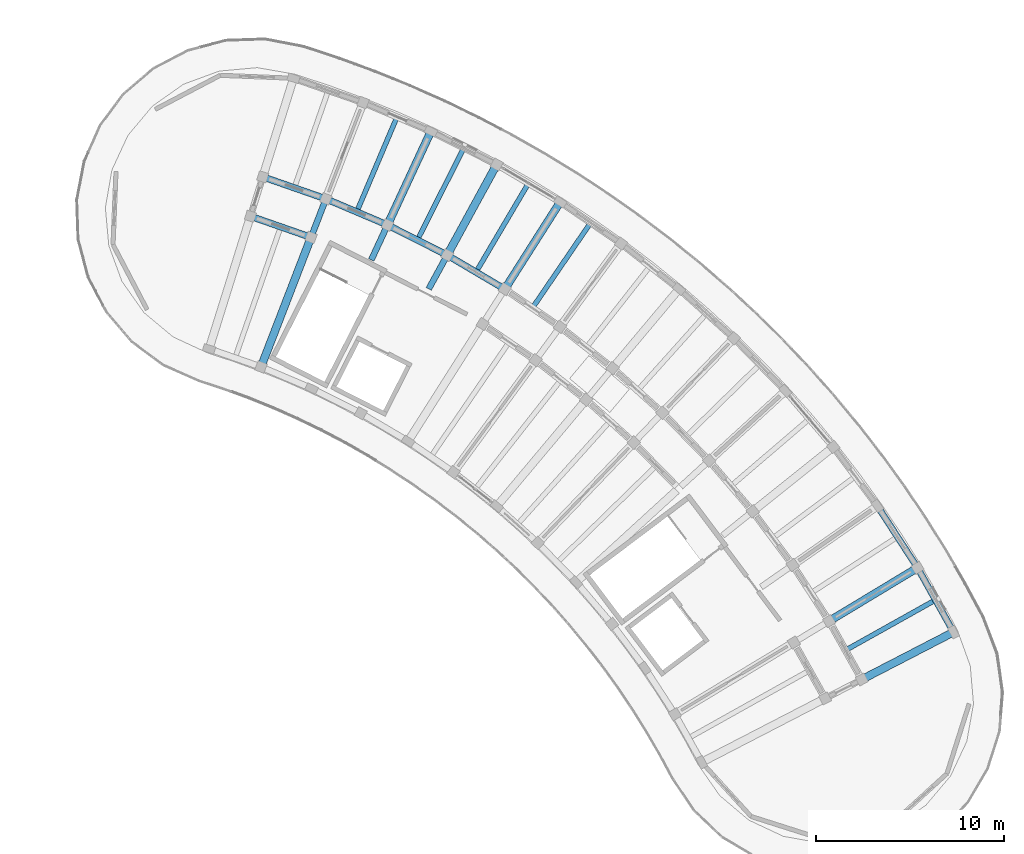
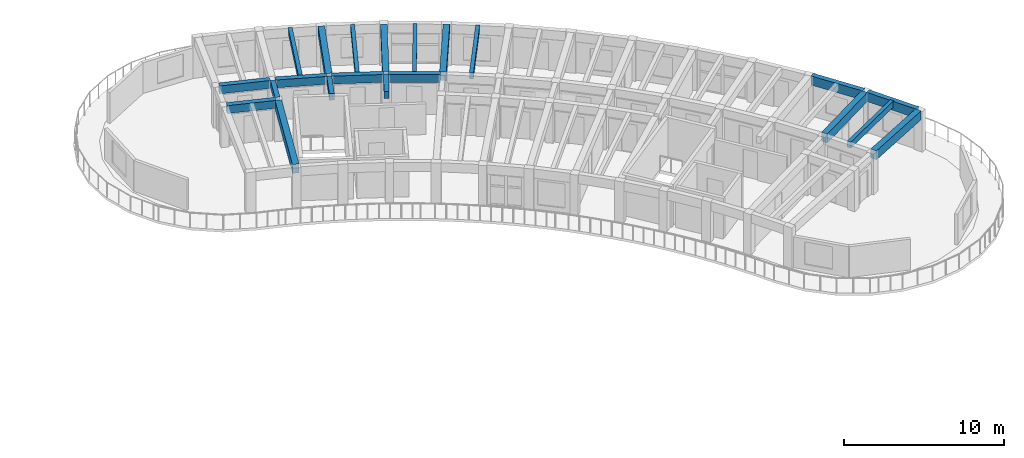
# One storey, part 12 of 32: 21 beams.
"""IFC4 building model written with IfcOpenShell, lengths in metres."""

import ifcopenshell
import ifcopenshell.guid

model = None  # the IFC model being written
_history = None  # IfcOwnerHistory: only IFC2X3 demands one
_inside = {}  # id of a spatial element -> (the spatial element, [elements in it])
_under = {}  # id of a project, library or spatial element -> (it, [spatial elements below it])
_declared = {}  # id of a project -> (the project, [libraries it declares])
_typed = {}  # id of a type object -> (the type object, [elements of that type])
_made_of = {}  # id of a material, layer set ... -> (it, [elements and type objects made of it])


def new_model(schema):
    """Start an empty IFC model of exactly this schema.

    Asked for "IFC4X3", IfcOpenShell would pick the latest addendum, in which some entities
    have other attributes; the version numbers below select the first issue.
    IFC2X3 requires an IfcOwnerHistory on every rooted entity: one is made here for all.
    """
    global model, _history
    if schema == "IFC4X3":
        model = ifcopenshell.file(schema_version=(4, 3, 0, 0))
    else:
        model = ifcopenshell.file(schema=schema)
    _inside.clear()
    _under.clear()
    _declared.clear()
    _typed.clear()
    _made_of.clear()
    _history = None
    if model.schema == "IFC2X3":
        org = make("IfcOrganization", Name="unknown")
        user = make(
            "IfcPersonAndOrganization",
            ThePerson=make("IfcPerson", FamilyName="unknown"),
            TheOrganization=org,
        )
        app = make(
            "IfcApplication",
            ApplicationDeveloper=org,
            Version="unknown",
            ApplicationFullName="unknown",
            ApplicationIdentifier="unknown",
        )
        _history = make(
            "IfcOwnerHistory",
            OwningUser=user,
            OwningApplication=app,
            ChangeAction="ADDED",
            CreationDate=0,
        )
    return model


def make(cls, **values):
    """One entity of the class cls with the attributes given. An attribute that is None is left unset."""
    return model.create_entity(
        cls, **{name: value for name, value in values.items() if value is not None}
    )


def rooted(cls, **values):
    """An entity with a GlobalId (a new one), such as an element, a storey or a relation."""
    return make(cls, GlobalId=ifcopenshell.guid.new(), OwnerHistory=_history, **values)


def si_unit(unit_type, name, prefix=None):
    """IfcSIUnit, for example si_unit("LENGTHUNIT", "METRE", prefix="MILLI")."""
    return make("IfcSIUnit", UnitType=unit_type, Prefix=prefix, Name=name)


def assignment(units):
    """IfcUnitAssignment: the units of a project."""
    return None if units is None else make("IfcUnitAssignment", Units=units)


def point(xyz):
    """IfcCartesianPoint."""
    return None if xyz is None else make("IfcCartesianPoint", Coordinates=xyz)


def direction(xyz):
    """IfcDirection."""
    return None if xyz is None else make("IfcDirection", DirectionRatios=xyz)


def frame(location, z_axis=None, x_axis=None):
    """IfcAxis2Placement3D, a coordinate frame: its origin and axes. An axis left out is left unset."""
    return make(
        "IfcAxis2Placement3D",
        Location=point(location),
        Axis=direction(z_axis),
        RefDirection=direction(x_axis),
    )


def frame_2d(location, x_axis=None):
    """IfcAxis2Placement2D, a coordinate frame in the plane: its origin and x axis."""
    return make(
        "IfcAxis2Placement2D", Location=point(location), RefDirection=direction(x_axis)
    )


def origin():
    """The frame at (0, 0, 0) with its axes left unset."""
    return frame((0.0, 0.0, 0.0))


def origin_2d():
    """The frame at (0, 0) in the plane with its x axis left unset."""
    return frame_2d((0.0, 0.0))


def place(relative_to, where):
    """IfcLocalPlacement: puts the frame where relative to a parent placement (None: the world)."""
    return make(
        "IfcLocalPlacement", PlacementRelTo=relative_to, RelativePlacement=where
    )


def context(
    kind, dimensions, precision=None, world=None, true_north=None, identifier=None
):
    """IfcGeometricRepresentationContext, for example the 3D "Model" context."""
    return make(
        "IfcGeometricRepresentationContext",
        ContextIdentifier=identifier,
        ContextType=kind,
        CoordinateSpaceDimension=dimensions,
        Precision=precision,
        WorldCoordinateSystem=world,
        TrueNorth=true_north,
    )


def subcontext(parent, identifier, kind, view, scale=None):
    """IfcGeometricRepresentationSubContext, for example "Body" below "Model"."""
    return make(
        "IfcGeometricRepresentationSubContext",
        ContextIdentifier=identifier,
        ContextType=kind,
        ParentContext=parent,
        TargetScale=scale,
        TargetView=view,
    )


def project(units=None, contexts=None):
    """IfcProject with its units and contexts."""
    return rooted(
        "IfcProject",
        Name="project",
        RepresentationContexts=contexts,
        UnitsInContext=assignment(units),
    )


def spatial(cls, under=None, at=None, **own):
    """A site, building, storey or space (cls), placed at a placement, below another one or the project."""
    s = rooted(cls, ObjectPlacement=at, **own)
    if under is not None:
        _under.setdefault(under.id(), (under, []))[1].append(s)
    return s


def profile(cls, at=None, kind="AREA", **sizes):
    """A parametric profile (cls). Its sizes go by their IFC names, for example OverallWidth=200.0."""
    return make(cls, ProfileType=kind, Position=at, **sizes)


def rectangle(**sizes):
    """IfcRectangleProfileDef."""
    return profile("IfcRectangleProfileDef", **sizes)


def extrude(swept, where, along, depth):
    """IfcExtrudedAreaSolid: the profile swept, set in the frame where, extruded along a direction by depth."""
    return make(
        "IfcExtrudedAreaSolid",
        SweptArea=swept,
        Position=where,
        ExtrudedDirection=direction(along),
        Depth=depth,
    )


def shape(context_of_items, identifier, shape_type, items):
    """IfcShapeRepresentation: the items that make up one representation, for example the "Body"."""
    return make(
        "IfcShapeRepresentation",
        ContextOfItems=context_of_items,
        RepresentationIdentifier=identifier,
        RepresentationType=shape_type,
        Items=items,
    )


def material(Name=None, Category=None):
    """IfcMaterial."""
    return make("IfcMaterial", Name=Name, Category=Category)


def material_profile(
    of_material, cross_section, Name=None, Category=None, Priority=None
):
    """IfcMaterialProfile: a cross section and its material."""
    return make(
        "IfcMaterialProfile",
        Name=Name,
        Material=of_material,
        Profile=cross_section,
        Priority=Priority,
        Category=Category,
    )


def profile_set(profiles, Name=None, composite=None):
    """IfcMaterialProfileSet."""
    return make(
        "IfcMaterialProfileSet",
        Name=Name,
        MaterialProfiles=profiles,
        CompositeProfile=composite,
    )


def made_of(thing, what):
    """Note that an element or type object is made of a material, layer set ...; save() writes the relation."""
    if what is not None:
        _made_of.setdefault(what.id(), (what, []))[1].append(thing)
    return thing


def type_object(cls, material=None, **own):
    """A type object (cls), such as IfcWallType, which elements share."""
    return made_of(rooted(cls, **own), material)


def element(
    cls,
    number,
    at=None,
    inside=None,
    cuts=None,
    type_object=None,
    material=None,
    context=None,
    identifier="Body",
    shape_type=None,
    held_by="IfcProductDefinitionShape",
    body=None,
    shapes=None,
    **own,
):
    """One element of the class cls, such as IfcWall. Its Tag is "e" and its number.

    at: its placement. inside: the storey or other place that contains it. cuts: it is an
    opening in that element (IfcRelVoidsElement). A single representation is given by context,
    identifier, shape_type and body (its items); several are given by shapes. held_by: the class
    of the entity that holds the representations. save() writes the other relations.
    """
    e = rooted(cls, Tag="e%d" % number, ObjectPlacement=at, **own)
    if body is not None:
        shapes = [shape(context, identifier, shape_type, body)]
    if shapes is not None:
        e.Representation = make(held_by, Representations=shapes)
    if inside is not None:
        _inside.setdefault(inside.id(), (inside, []))[1].append(e)
    if cuts is not None:
        rooted(
            "IfcRelVoidsElement", RelatingBuildingElement=cuts, RelatedOpeningElement=e
        )
    if type_object is not None:
        _typed.setdefault(type_object.id(), (type_object, []))[1].append(e)
    return made_of(e, material)


def aggregate(whole, parts):
    """IfcRelAggregates: a whole, such as a stair, and the parts it consists of."""
    return rooted("IfcRelAggregates", RelatingObject=whole, RelatedObjects=parts)


def save(model, path):
    """Write the relations noted so far, then the file.

    IfcRelAggregates (storeys below a building ...), IfcRelContainedInSpatialStructure (elements
    in a storey), IfcRelDefinesByType, IfcRelAssociatesMaterial and IfcRelDeclares: one each for
    every whole, place, type object, material and project.
    """
    for whole, parts in _under.values():
        aggregate(whole, parts)
    for where, things in _inside.values():
        rooted(
            "IfcRelContainedInSpatialStructure",
            RelatedElements=things,
            RelatingStructure=where,
        )
    for kind, things in _typed.values():
        rooted("IfcRelDefinesByType", RelatedObjects=things, RelatingType=kind)
    for what, things in _made_of.values():
        rooted("IfcRelAssociatesMaterial", RelatedObjects=things, RelatingMaterial=what)
    for by, libraries in _declared.values():
        rooted("IfcRelDeclares", RelatingContext=by, RelatedDefinitions=libraries)
    model.write(path)


model = new_model("IFC4")

# Units and contexts
model_context = context("Model", 3, precision=1e-05, world=origin(), true_north=direction((0.0, 1.0)))
body_context = subcontext(model_context, "Body", "Model", "MODEL_VIEW")
ifc_project = project(units=[si_unit("LENGTHUNIT", "METRE"), si_unit("AREAUNIT", "SQUARE_METRE"), si_unit("VOLUMEUNIT", "CUBIC_METRE"), si_unit("PLANEANGLEUNIT", "RADIAN"), si_unit("MASSUNIT", "GRAM", prefix="KILO")], contexts=[model_context])

# Site, building, storey
site_placement = place(None, origin())
site = spatial("IfcSite", under=ifc_project, at=site_placement, CompositionType="ELEMENT")
building_placement = place(site_placement, origin())
building = spatial("IfcBuilding", under=site, at=building_placement, Name="Tanwirah Colonnade Gardens", CompositionType="ELEMENT")
storey_placement = place(building_placement, frame((0.0, 0.0, 42.43994140625)))
storey = spatial("IfcBuildingStorey", under=building, at=storey_placement, Name="L12", CompositionType="ELEMENT", Elevation=42.43994140625)

# Beams
ifc_material_1 = material(Name="Precast concrete C40/50", Category="concrete")
ifc_material_profile_1 = material_profile(ifc_material_1, rectangle(XDim=0.320068359375, YDim=0.52001953125, at=origin_2d()), Name="PC-BM 320x520")
ifc_profile_set_1 = profile_set([ifc_material_profile_1], Name="Precast concrete C40/50")
beam_type_1 = type_object("IfcBeamType", Name="BM-PC320", PredefinedType="BEAM", material=ifc_profile_set_1)
for number, where, z_axis, x_axis, name in (
    (1, (145.945068359375, 105.826171875, 2.840087890625), (0.479707235792, 0.877428611301, 0.0), (-0.877428611301, 0.479707235792, 0.0), "Block B L12 Corridor Tie Beam 12"),
    (2, (142.884765625, 107.37060546875, 2.840087890625), (0.420858322681, 0.90712638162, 0.0), (-0.90712638162, 0.420858322681, 0.0), "Block B L12 Corridor Tie Beam 13"),
    (3, (139.729248046875, 108.7099609375, 2.840087890625), (0.360175656082, 0.932884503444, 0.0), (-0.932884503444, 0.360175656082, 0.0), "Block B L12 Corridor Tie Beam 14"),
):
    element("IfcBeam", number, at=place(storey_placement, frame(where, z_axis=z_axis, x_axis=x_axis)), inside=storey, type_object=beam_type_1, Name=name, PredefinedType="BEAM", context=body_context, shape_type="SweptSolid", body=[
        extrude(rectangle(XDim=0.320068359375, YDim=0.52001953125, at=origin_2d()), origin(), (0.0, 0.0, 1.0), 1.89990234375),
    ])
ifc_material_profile_2 = material_profile(ifc_material_1, rectangle(XDim=0.35009765625, YDim=0.60009765625, at=origin_2d()), Name="PC-BM 350x600")
ifc_profile_set_2 = profile_set([ifc_material_profile_2], Name="Precast concrete C40/50")
beam_type_2 = type_object("IfcBeamType", Name="BM-PC350B", PredefinedType="BEAM", material=ifc_profile_set_2)
for number, where, z_axis, x_axis, name in (
    (4, (149.86767578125, 105.8896484375, 2.800048828125), (-0.861134978964, 0.508376384193, 0.0), (-0.508376384193, -0.861134978964, 0.0), "Block B L12 Circumferential Beam 11-R2"),
    (5, (146.794677734375, 107.6923828125, 2.800048828125), (-0.89276014323, 0.450532270387, 0.0), (-0.450532270387, -0.89276014323, 0.0), "Block B L12 Circumferential Beam 12-R2"),
):
    element("IfcBeam", number, at=place(storey_placement, frame(where, z_axis=z_axis, x_axis=x_axis)), inside=storey, type_object=beam_type_2, Name=name, PredefinedType="BEAM", context=body_context, shape_type="SweptSolid", body=[
        extrude(rectangle(XDim=0.35009765625, YDim=0.60009765625, at=origin_2d()), origin(), (0.0, 0.0, 1.0), 3.26318359375),
    ])
beam_1_placement = place(storey_placement, frame((143.609375, 109.288818359375, 2.800048828125), z_axis=(-0.920513294115, 0.390711242938, 0.0), x_axis=(-0.390711242938, -0.920513294115, 0.0)))
element("IfcBeam", 6, at=beam_1_placement, inside=storey, type_object=beam_type_2, Name="Block B L12 Circumferential Beam 13-R2", PredefinedType="BEAM", context=body_context, shape_type="SweptSolid", body=[
    extrude(rectangle(XDim=0.35009765625, YDim=0.60009765625, at=origin_2d()), origin(), (0.0, 0.0, 1.0), 3.262939453125),
])
beam_2_placement = place(storey_placement, frame((139.53369140625, 108.619384765625, 2.800048828125), z_axis=(-0.944248304077, 0.329234172358, 0.0), x_axis=(-0.329234172358, -0.944248304077, 0.0)))
element("IfcBeam", 7, at=beam_2_placement, inside=storey, type_object=beam_type_2, Name="Block B L12 Circumferential Beam 14-R1", PredefinedType="BEAM", context=body_context, shape_type="SweptSolid", body=[
    extrude(rectangle(XDim=0.35009765625, YDim=0.60009765625, at=origin_2d()), origin(), (0.0, 0.0, 1.0), 3.1181640625),
])
beam_3_placement = place(storey_placement, frame((140.325927734375, 110.671630859375, 2.800048828125), z_axis=(-0.944231021702, 0.329283734272, 0.0), x_axis=(-0.329283734272, -0.944231021702, 0.0)))
element("IfcBeam", 8, at=beam_3_placement, inside=storey, type_object=beam_type_2, Name="Block B L12 Circumferential Beam 14-R2", PredefinedType="BEAM", context=body_context, shape_type="SweptSolid", body=[
    extrude(rectangle(XDim=0.35009765625, YDim=0.60009765625, at=origin_2d()), origin(), (0.0, 0.0, 1.0), 3.262939453125),
])
ifc_material_2 = material(Name="Precast concrete C45/55", Category="concrete")
ifc_material_profile_3 = material_profile(ifc_material_2, rectangle(XDim=0.419921875, YDim=0.679931640625, at=origin_2d()), Name="PC-BM 420x680")
ifc_profile_set_3 = profile_set([ifc_material_profile_3], Name="Precast concrete C45/55")
beam_type_3 = type_object("IfcBeamType", Name="BM-PC420", PredefinedType="BEAM", material=ifc_profile_set_3)
beam_4_placement = place(storey_placement, frame((169.148681640625, 85.0869140625, 2.760009765625), z_axis=(0.888346435251, 0.459173835249, 0.0), x_axis=(-0.459173835249, 0.888346435251, 0.0)))
element("IfcBeam", 9, at=beam_4_placement, inside=storey, type_object=beam_type_3, Name="Block B L12 Outer Radial Precast Girder 3", PredefinedType="BEAM", context=body_context, shape_type="SweptSolid", body=[
    extrude(rectangle(XDim=0.419921875, YDim=0.679931640625, at=origin_2d()), origin(), (0.0, 0.0, 1.0), 5.199951171875),
])
beam_5_placement = place(storey_placement, frame((167.404296875, 88.205078125, 2.760009765625), z_axis=(0.856164383855, 0.516703539584, 0.0), x_axis=(-0.516703539584, 0.856164383855, 0.0)))
element("IfcBeam", 10, at=beam_5_placement, inside=storey, type_object=beam_type_3, Name="Block B L12 Outer Radial Precast Girder 4", PredefinedType="BEAM", context=body_context, shape_type="SweptSolid", body=[
    extrude(rectangle(XDim=0.419921875, YDim=0.679931640625, at=origin_2d()), origin(), (0.0, 0.0, 1.0), 5.19970703125),
])
for number, where, z_axis, x_axis, name in (
    (11, (150.077392578125, 105.93994140625, 2.760009765625), (0.536453149191, 0.843930102985, 0.0), (-0.843930102985, 0.536453149191, 0.0), "Block B L12 Outer Radial Precast Girder 11"),
    (12, (147.00048828125, 107.75634765625, 2.760009765625), (0.479684149655, 0.877441232545, 0.0), (-0.877441232545, 0.479684149655, 0.0), "Block B L12 Outer Radial Precast Girder 12"),
    (13, (143.810546875, 109.3662109375, 2.760009765625), (0.420861611985, 0.907124855551, 0.0), (-0.907124855551, 0.420861611985, 0.0), "Block B L12 Outer Radial Precast Girder 13"),
):
    element("IfcBeam", number, at=place(storey_placement, frame(where, z_axis=z_axis, x_axis=x_axis)), inside=storey, type_object=beam_type_3, Name=name, PredefinedType="BEAM", context=body_context, shape_type="SweptSolid", body=[
        extrude(rectangle(XDim=0.419921875, YDim=0.679931640625, at=origin_2d()), origin(), (0.0, 0.0, 1.0), 5.199951171875),
    ])
beam_6_placement = place(storey_placement, frame((139.62109375, 108.43017578125, 2.760009765625), z_axis=(-0.360158550024, -0.93289110771, 0.0), x_axis=(0.93289110771, -0.360158550024, 0.0)))
element("IfcBeam", 14, at=beam_6_placement, inside=storey, type_object=beam_type_3, Name="Block B L12 Inner Radial Precast Girder 14", PredefinedType="BEAM", context=body_context, shape_type="SweptSolid", body=[
    extrude(rectangle(XDim=0.419921875, YDim=0.679931640625, at=origin_2d()), origin(), (0.0, 0.0, 1.0), 7.10009765625),
])
ifc_material_profile_4 = material_profile(ifc_material_1, rectangle(XDim=0.260009765625, YDim=0.4599609375, at=origin_2d()), Name="PC-JST 260x460")
ifc_profile_set_4 = profile_set([ifc_material_profile_4], Name="Precast concrete C40/50")
beam_type_4 = type_object("IfcBeamType", Name="JST-PC260", PredefinedType="JOIST", material=ifc_profile_set_4)
for number, where, z_axis, x_axis, name in (
    (15, (168.27587890625, 86.645751953125, 2.8701171875), (0.872737031138, 0.488190612855, 0.0), (-0.488190612855, 0.872737031138, 0.0), "Block B L12 Precast Floor Joist 3"),
    (16, (151.55224609375, 104.931884765625, 2.8701171875), (0.563973225998, 0.825793073571, 0.0), (-0.825793073571, 0.563973225998, 0.0), "Block B L12 Precast Floor Joist 10"),
):
    element("IfcBeam", number, at=place(storey_placement, frame(where, z_axis=z_axis, x_axis=x_axis)), inside=storey, type_object=beam_type_4, Name=name, PredefinedType="JOIST", context=body_context, shape_type="SweptSolid", body=[
        extrude(rectangle(XDim=0.260009765625, YDim=0.4599609375, at=origin_2d()), origin(), (0.0, 0.0, 1.0), 5.260009765625),
    ])
for number, where, z_axis, x_axis, name in (
    (17, (148.53857421875, 106.84765625, 2.8701171875), (0.508360236823, 0.86114451146, 0.0), (-0.86114451146, 0.508360236823, 0.0), "Block B L12 Precast Floor Joist 11"),
    (18, (145.4052734375, 108.560791015625, 2.8701171875), (0.450533699488, 0.892759422031, 0.0), (-0.892759422031, 0.450533699488, 0.0), "Block B L12 Precast Floor Joist 12"),
):
    element("IfcBeam", number, at=place(storey_placement, frame(where, z_axis=z_axis, x_axis=x_axis)), inside=storey, type_object=beam_type_4, Name=name, PredefinedType="JOIST", context=body_context, shape_type="SweptSolid", body=[
        extrude(rectangle(XDim=0.260009765625, YDim=0.4599609375, at=origin_2d()), origin(), (0.0, 0.0, 1.0), 5.26025390625),
    ])
beam_7_placement = place(storey_placement, frame((142.166015625, 110.063720703125, 2.8701171875), z_axis=(0.390723870106, 0.92050793442, 0.0), x_axis=(-0.92050793442, 0.390723870106, 0.0)))
element("IfcBeam", 19, at=beam_7_placement, inside=storey, type_object=beam_type_4, Name="Block B L12 Precast Floor Joist 13", PredefinedType="JOIST", context=body_context, shape_type="SweptSolid", body=[
    extrude(rectangle(XDim=0.260009765625, YDim=0.4599609375, at=origin_2d()), origin(), (0.0, 0.0, 1.0), 5.260009765625),
])
ifc_material_profile_5 = material_profile(ifc_material_1, rectangle(XDim=0.3349609375, YDim=0.695068359375, at=origin_2d()), Name="PC-SP 335x695")
ifc_profile_set_5 = profile_set([ifc_material_profile_5], Name="Precast concrete C40/50")
beam_type_5 = type_object("IfcBeamType", Name="SP-PC300", PredefinedType="SPANDREL", material=ifc_profile_set_5)
for number, where, z_axis, x_axis, name in (
    (20, (173.828125, 87.67431640625, 2.75244140625), (-0.488236312193, 0.872711466326, 0.0), (-0.872711466326, -0.488236312193, 0.0), "Block B L12 Circumferential Beam 3-R3"),
    (21, (171.903076171875, 91.09521484375, 2.75244140625), (-0.544621436184, 0.838681996497, 0.0), (-0.838681996497, -0.544621436184, 0.0), "Block B L12 Circumferential Beam 4-R3"),
):
    element("IfcBeam", number, at=place(storey_placement, frame(where, z_axis=z_axis, x_axis=x_axis)), inside=storey, type_object=beam_type_5, Name=name, PredefinedType="SPANDREL", context=body_context, shape_type="SweptSolid", body=[
        extrude(rectangle(XDim=0.3349609375, YDim=0.695068359375, at=origin_2d()), origin(), (0.0, 0.0, 1.0), 3.625732421875),
    ])

save(model, "model.ifc")
